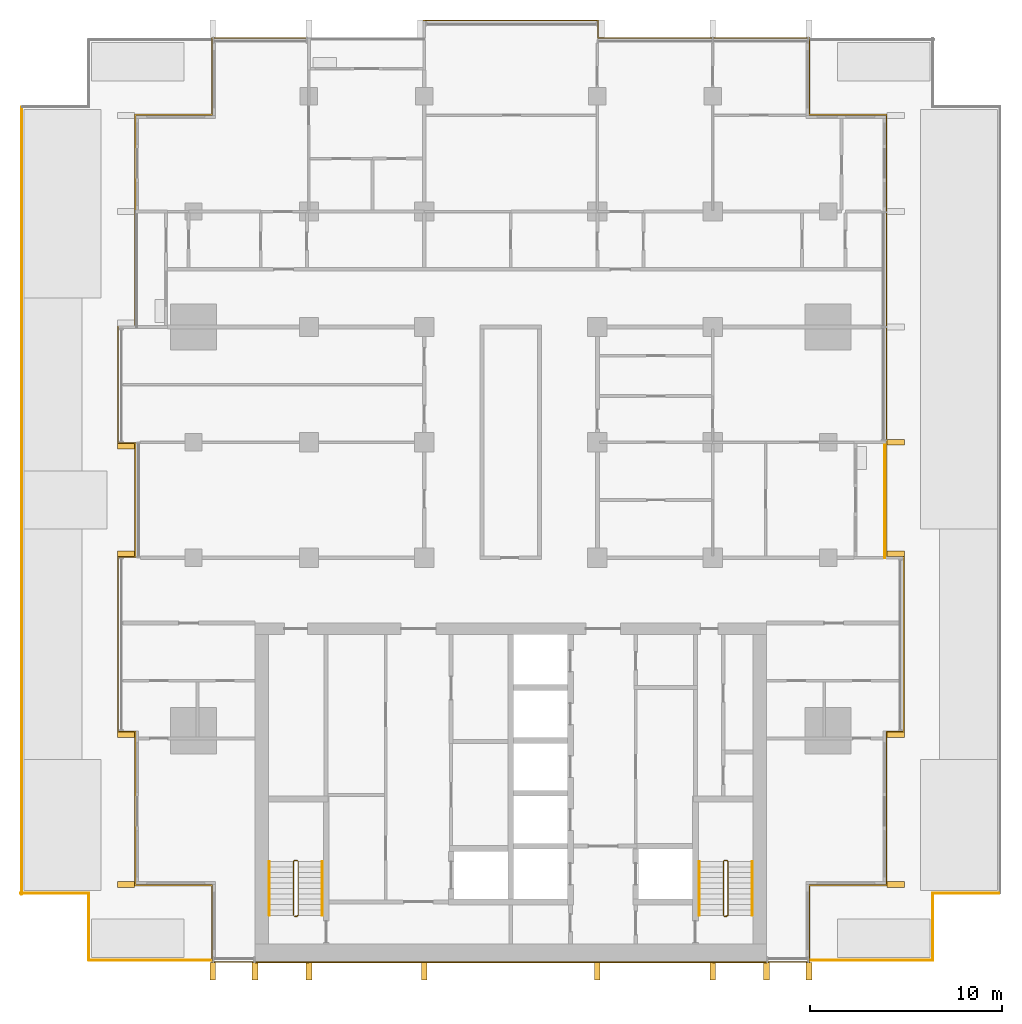
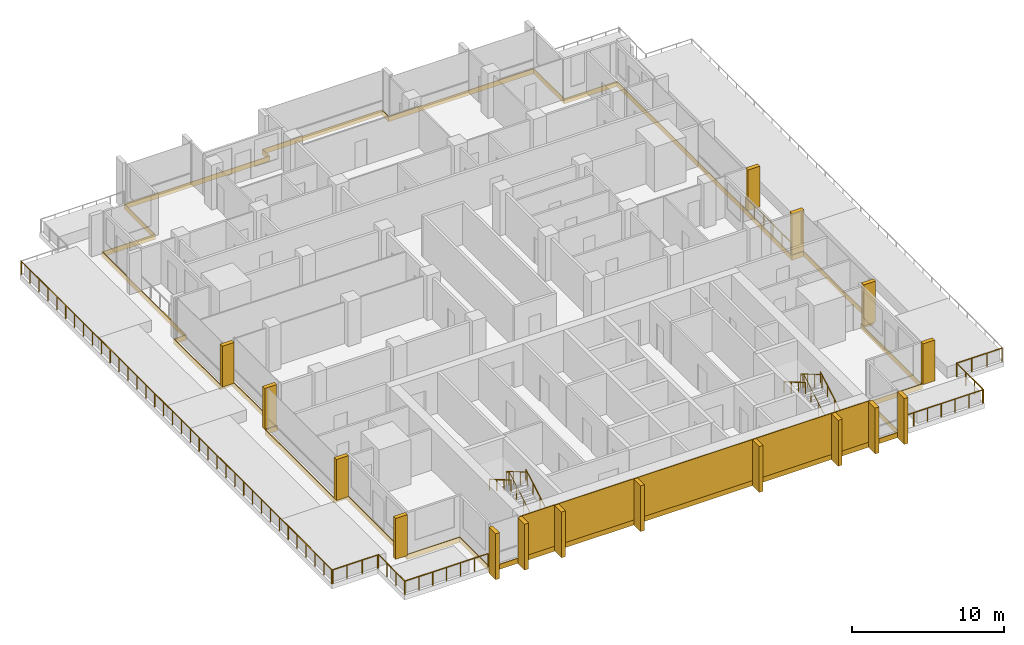
# One storey, part 17 of 18: 16 shading devices, 14 railings, 6 coverings.
"""IFC4 building model written with IfcOpenShell, lengths in metres."""

from ifc_helpers import new_model, si_unit, direction, frame, origin, origin_2d, place, context, subcontext, project, spatial, polyline, rectangle, circle, outline, extrude, material, layer, layer_set, type_object, element, save


model = new_model("IFC4")

# Units and contexts
model_context = context("Model", 3, precision=1e-05, world=origin(), true_north=direction((0.0, 1.0)))
body_context = subcontext(model_context, "Body", "Model", "MODEL_VIEW")
ifc_project = project(units=[si_unit("LENGTHUNIT", "METRE"), si_unit("AREAUNIT", "SQUARE_METRE"), si_unit("VOLUMEUNIT", "CUBIC_METRE"), si_unit("PLANEANGLEUNIT", "RADIAN"), si_unit("MASSUNIT", "GRAM", prefix="KILO")], contexts=[model_context])

# Site, building, storey
site_placement = place(None, origin())
site = spatial("IfcSite", under=ifc_project, at=site_placement, CompositionType="ELEMENT")
building_placement = place(site_placement, origin())
building = spatial("IfcBuilding", under=site, at=building_placement, Name="Finial Court Residences", CompositionType="ELEMENT")
storey_placement = place(building_placement, frame((0.0, 0.0, 149.300048828125)))
storey = spatial("IfcBuildingStorey", under=building, at=storey_placement, Name="L36", CompositionType="ELEMENT", Elevation=149.300048828125)

# Railing
ifc_material_1 = material(Name="Bronze anodised aluminium", Category="aluminium")
railing_type_1 = type_object("IfcRailingType", Name="Balcony guard 1100", PredefinedType="GUARDRAIL", material=ifc_material_1)
railing_1_placement = place(storey_placement, frame((19.449951171875, -4.5, 0.0)))
element("IfcRailing", 1, at=railing_1_placement, inside=storey, type_object=railing_type_1, Name="E-L36-BALE3-R", PredefinedType="GUARDRAIL", context=body_context, shape_type="SweptSolid", body=[
    extrude(circle(Radius=0.02392578125, at=origin_2d()), frame((0.0, 0.0, 1.076171875), z_axis=(0.0, 1.0, 0.0), x_axis=(-1.0, 0.0, 0.0)), (0.0, 0.0, 1.0), 6.0),
    extrude(circle(Radius=0.02099609375, at=origin_2d()), origin(), (0.0, 0.0, 1.0), 1.052001953125),
    extrude(circle(Radius=0.02099609375, at=origin_2d()), frame((0.0, 1.199951171875, 0.0)), (0.0, 0.0, 1.0), 1.052001953125),
    extrude(circle(Radius=0.02099609375, at=origin_2d()), frame((0.0, 2.39990234375, 0.0)), (0.0, 0.0, 1.0), 1.052001953125),
    extrude(circle(Radius=0.02099609375, at=origin_2d()), frame((0.0, 3.60009765625, 0.0)), (0.0, 0.0, 1.0), 1.052001953125),
    extrude(circle(Radius=0.02099609375, at=origin_2d()), frame((0.0, 4.800048828125, 0.0)), (0.0, 0.0, 1.0), 1.052001953125),
    extrude(circle(Radius=0.02099609375, at=origin_2d()), frame((0.0, 6.0, 0.0)), (0.0, 0.0, 1.0), 1.052001953125),
])

# Coverings
ifc_material_2 = material(Name="Natural limestone", Category="masonry")
ifc_layer_1 = layer(ifc_material_2, 0.06005859375)
ifc_layer_set_1 = layer_set([ifc_layer_1], Name="Limestone cladding to the blind core face 60")
covering_type_1 = type_object("IfcCoveringType", Name="Limestone cladding to the blind core face 60", PredefinedType="CLADDING", material=ifc_layer_set_1)
covering_1_placement = place(storey_placement, origin())
element("IfcCovering", 2, at=covering_1_placement, inside=storey, type_object=covering_type_1, Name="E-L36-CLAD1", PredefinedType="CLADDING", context=body_context, shape_type="SweptSolid", body=[
    extrude(outline(polyline([(-10.5, -25.56005859375), (-10.5, -25.5), (-13.300048828125, -25.5), (-13.300048828125, -25.56005859375), (-10.5, -25.56005859375)])), origin(), (0.0, 0.0, 1.0), 3.300048828125),
])
covering_2_placement = place(storey_placement, origin())
element("IfcCovering", 3, at=covering_2_placement, inside=storey, type_object=covering_type_1, Name="E-L36-CLAD2", PredefinedType="CLADDING", context=body_context, shape_type="SweptSolid", body=[
    extrude(outline(polyline([(-4.5, -25.56005859375), (-4.5, -25.5), (-10.5, -25.5), (-10.5, -25.56005859375), (-4.5, -25.56005859375)])), origin(), (0.0, 0.0, 1.0), 3.300048828125),
])
covering_3_placement = place(storey_placement, origin())
element("IfcCovering", 4, at=covering_3_placement, inside=storey, type_object=covering_type_1, Name="E-L36-CLAD3", PredefinedType="CLADDING", context=body_context, shape_type="SweptSolid", body=[
    extrude(outline(polyline([(4.5, -25.56005859375), (4.5, -25.5), (-4.5, -25.5), (-4.5, -25.56005859375), (4.5, -25.56005859375)])), origin(), (0.0, 0.0, 1.0), 3.300048828125),
])
covering_4_placement = place(storey_placement, origin())
element("IfcCovering", 5, at=covering_4_placement, inside=storey, type_object=covering_type_1, Name="E-L36-CLAD4", PredefinedType="CLADDING", context=body_context, shape_type="SweptSolid", body=[
    extrude(outline(polyline([(10.5, -25.56005859375), (10.5, -25.5), (4.5, -25.5), (4.5, -25.56005859375), (10.5, -25.56005859375)])), origin(), (0.0, 0.0, 1.0), 3.300048828125),
])
covering_5_placement = place(storey_placement, origin())
element("IfcCovering", 6, at=covering_5_placement, inside=storey, type_object=covering_type_1, Name="E-L36-CLAD5", PredefinedType="CLADDING", context=body_context, shape_type="SweptSolid", body=[
    extrude(outline(polyline([(13.300048828125, -25.56005859375), (13.300048828125, -25.5), (10.5, -25.5), (10.5, -25.56005859375), (13.300048828125, -25.56005859375)])), origin(), (0.0, 0.0, 1.0), 3.300048828125),
])

# Shading devices
shading_device_type = type_object("IfcShadingDeviceType", Name="Limestone fin 300 x 900", PredefinedType="USERDEFINED", material=ifc_material_2)
for number, where, z_axis, x_axis, name in (
    (7, (20.010009765625, -21.5, 0.0), (0.0, 0.0, 1.0), (1.0, 0.0, 0.0), "E-L36-FIN-E7"),
    (8, (20.010009765625, -13.7099609375, 0.0), (0.0, 0.0, 1.0), (1.0, 0.0, 0.0), "E-L36-FIN-E8"),
    (9, (20.010009765625, -4.2900390625, 0.0), (0.0, 0.0, 1.0), (1.0, 0.0, 0.0), "E-L36-FIN-E9"),
    (10, (20.010009765625, 1.5, 0.0), (0.0, 0.0, 1.0), (1.0, 0.0, 0.0), "E-L36-FIN-E10"),
):
    element("IfcShadingDevice", number, at=place(storey_placement, frame(where, z_axis=z_axis, x_axis=x_axis)), inside=storey, type_object=shading_device_type, Name=name, ObjectType="FIN", PredefinedType="USERDEFINED", context=body_context, shape_type="SweptSolid", body=[
        extrude(rectangle(XDim=0.89990234375, YDim=0.300048828125, at=origin_2d()), origin(), (0.0, 0.0, 1.0), 3.280029296875),
    ])
for number, where, z_axis, x_axis, name in (
    (11, (-15.5, -26.010009765625, -0.39990234375), (0.0, 0.0, 1.0), (1.0, 0.0, 0.0), "E-L36-FIN-S14"),
    (12, (-13.300048828125, -26.010009765625, -0.39990234375), (0.0, 0.0, 1.0), (1.0, 0.0, 0.0), "E-L36-FIN-S15"),
    (13, (-10.5, -26.010009765625, -0.39990234375), (0.0, 0.0, 1.0), (1.0, 0.0, 0.0), "E-L36-FIN-S16"),
    (14, (-4.5, -26.010009765625, -0.39990234375), (0.0, 0.0, 1.0), (1.0, 0.0, 0.0), "E-L36-FIN-S17"),
    (15, (4.5, -26.010009765625, -0.39990234375), (0.0, 0.0, 1.0), (1.0, 0.0, 0.0), "E-L36-FIN-S18"),
    (16, (10.5, -26.010009765625, -0.39990234375), (0.0, 0.0, 1.0), (1.0, 0.0, 0.0), "E-L36-FIN-S19"),
    (17, (13.300048828125, -26.010009765625, -0.39990234375), (0.0, 0.0, 1.0), (1.0, 0.0, 0.0), "E-L36-FIN-S20"),
    (18, (15.5, -26.010009765625, -0.39990234375), (0.0, 0.0, 1.0), (1.0, 0.0, 0.0), "E-L36-FIN-S21"),
):
    element("IfcShadingDevice", number, at=place(storey_placement, frame(where, z_axis=z_axis, x_axis=x_axis)), inside=storey, type_object=shading_device_type, Name=name, ObjectType="FIN", PredefinedType="USERDEFINED", context=body_context, shape_type="SweptSolid", body=[
        extrude(rectangle(XDim=0.300048828125, YDim=0.89990234375, at=origin_2d()), origin(), (0.0, 0.0, 1.0), 3.679931640625),
    ])
for number, where, z_axis, x_axis, name in (
    (19, (-20.010009765625, -21.5, 0.0), (0.0, 0.0, 1.0), (1.0, 0.0, 0.0), "E-L36-FIN-W22"),
    (20, (-20.010009765625, -13.7099609375, 0.0), (0.0, 0.0, 1.0), (1.0, 0.0, 0.0), "E-L36-FIN-W23"),
    (21, (-20.010009765625, -4.2900390625, 0.0), (0.0, 0.0, 1.0), (1.0, 0.0, 0.0), "E-L36-FIN-W24"),
    (22, (-20.010009765625, 1.2900390625, 0.0), (0.0, 0.0, 1.0), (1.0, 0.0, 0.0), "E-L36-FIN-W25"),
):
    element("IfcShadingDevice", number, at=place(storey_placement, frame(where, z_axis=z_axis, x_axis=x_axis)), inside=storey, type_object=shading_device_type, Name=name, ObjectType="FIN", PredefinedType="USERDEFINED", context=body_context, shape_type="SweptSolid", body=[
        extrude(rectangle(XDim=0.89990234375, YDim=0.300048828125, at=origin_2d()), origin(), (0.0, 0.0, 1.0), 3.280029296875),
    ])

# Covering
ifc_material_3 = material(Name="Pale limestone", Category="masonry")
ifc_layer_2 = layer(ifc_material_3, 0.06005859375)
ifc_layer_set_2 = layer_set([ifc_layer_2], Name="Pale limestone slab-edge band 60")
covering_type_2 = type_object("IfcCoveringType", Name="Pale limestone slab-edge band 60", PredefinedType="CLADDING", material=ifc_layer_set_2)
covering_6_placement = place(storey_placement, frame((0.0, 0.0, -0.400146484375)))
element("IfcCovering", 23, at=covering_6_placement, inside=storey, type_object=covering_type_2, Name="E-L36-BAND1", PredefinedType="CLADDING", context=body_context, shape_type="SweptSolid", body=[
    extrude(outline(polyline([(20.4599609375, -13.56005859375), (19.56005859375, -13.56005859375), (19.56005859375, -21.56005859375), (15.56005859375, -21.56005859375), (15.56005859375, -25.56005859375), (-15.56005859375, -25.56005859375), (-15.56005859375, -21.56005859375), (-19.56005859375, -21.56005859375), (-19.56005859375, -13.56005859375), (-20.4599609375, -13.56005859375), (-20.4599609375, -4.43994140625), (-19.56005859375, -4.43994140625), (-19.56005859375, 1.43994140625), (-20.4599609375, 1.43994140625), (-20.4599609375, 7.56005859375), (-19.56005859375, 7.56005859375), (-19.56005859375, 18.56005859375), (-15.56005859375, 18.56005859375), (-15.56005859375, 22.56005859375), (-4.56005859375, 22.56005859375), (-4.56005859375, 23.4599609375), (4.56005859375, 23.4599609375), (4.56005859375, 22.56005859375), (15.56005859375, 22.56005859375), (15.56005859375, 18.56005859375), (19.56005859375, 18.56005859375), (19.56005859375, -4.43994140625), (20.4599609375, -4.43994140625), (20.4599609375, -13.56005859375)]), holes=[polyline([(19.5, -4.5), (19.5, 1.5), (19.5, 18.5), (15.5, 18.5), (15.5, 22.5), (4.5, 22.5), (4.5, 23.39990234375), (-4.5, 23.39990234375), (-4.5, 22.5), (-10.5, 22.5), (-15.5, 22.5), (-15.5, 18.5), (-19.5, 18.5), (-19.5, 13.5), (-19.5, 7.5), (-20.39990234375, 7.5), (-20.39990234375, 1.5), (-19.5, 1.5), (-19.5, -4.5), (-20.39990234375, -4.5), (-20.39990234375, -13.5), (-19.5, -13.5), (-19.5, -21.5), (-15.5, -21.5), (-15.5, -25.5), (15.5, -25.5), (15.5, -21.5), (19.5, -21.5), (19.5, -13.5), (20.39990234375, -13.5), (20.39990234375, -4.5), (19.5, -4.5)])]), origin(), (0.0, 0.0, 1.0), 0.400146484375),
])

# Railings
ifc_material_4 = material(Name="Stainless steel railing", Category="steel")
railing_type_2 = type_object("IfcRailingType", Name="Stair guard 1100", PredefinedType="GUARDRAIL", material=ifc_material_4)
railing_2_placement = place(storey_placement, frame((-11.10009765625, -23.14990234375, 0.0)))
element("IfcRailing", 24, at=railing_2_placement, inside=storey, type_object=railing_type_2, Name="L36 ST-1 stair guard 1", PredefinedType="GUARDRAIL", context=body_context, shape_type="SweptSolid", body=[
    extrude(circle(Radius=0.02392578125, at=origin_2d()), frame((0.0, 0.0, 1.076171875), z_axis=(-1.0, 0.0, 0.0), x_axis=(0.0, -1.0, 0.0)), (0.0, 0.0, 1.0), 0.14990234375),
    extrude(circle(Radius=0.02392578125, at=origin_2d()), frame((-0.14990234375, 0.0, 1.076171875), z_axis=(0.760004195007, 0.189305074214, 0.621737253547), x_axis=(-0.241699205484, 0.970351222016, 0.0)), (0.0, 0.0, 1.0), 0.26318359375),
    extrude(circle(Radius=0.02392578125, at=origin_2d()), frame((0.050048828125, 0.0498046875, 1.23974609375), z_axis=(0.0, 0.863360870873, 0.504586966384), x_axis=(-1.0, 0.0, 0.0)), (0.0, 0.0, 1.0), 3.2431640625),
    extrude(circle(Radius=0.02392578125, at=origin_2d()), frame((0.050048828125, 2.849853515625, 2.8759765625), z_axis=(-0.707106781187, 0.707106781187, 0.0), x_axis=(-0.707106781187, -0.707106781187, 0.0)), (0.0, 0.0, 1.0), 0.07080078125),
    extrude(circle(Radius=0.02392578125, at=origin_2d()), frame((0.0, 2.89990234375, 2.8759765625), z_axis=(-1.0, 0.0, 0.0), x_axis=(0.0, -1.0, 0.0)), (0.0, 0.0, 1.0), 0.14990234375),
    extrude(circle(Radius=0.02392578125, at=origin_2d()), frame((-0.14990234375, 2.89990234375, 2.8759765625), z_axis=(-0.280808744504, -0.280808744504, 0.917765164963), x_axis=(0.707106781187, -0.707106781187, 0.0)), (0.0, 0.0, 1.0), 0.17822265625),
    extrude(circle(Radius=0.02392578125, at=origin_2d()), frame((-0.199951171875, 2.849853515625, 3.03955078125), z_axis=(0.0, -0.863393664356, 0.504530851732), x_axis=(1.0, 0.0, 0.0)), (0.0, 0.0, 1.0), 3.2431640625),
    extrude(circle(Radius=0.02099609375, at=origin_2d()), origin(), (0.0, 0.0, 1.0), 1.052001953125),
    extrude(circle(Radius=0.02099609375, at=origin_2d()), frame((-0.14990234375, 0.0, 0.0)), (0.0, 0.0, 1.0), 1.052001953125),
    extrude(circle(Radius=0.02099609375, at=origin_2d()), frame((0.050048828125, 0.0498046875, 0.16357421875)), (0.0, 0.0, 1.0), 1.052001953125),
    extrude(circle(Radius=0.02099609375, at=origin_2d()), frame((0.050048828125, 0.983154296875, 0.708984375)), (0.0, 0.0, 1.0), 1.052001953125),
    extrude(circle(Radius=0.02099609375, at=origin_2d()), frame((0.050048828125, 1.91650390625, 1.254638671875)), (0.0, 0.0, 1.0), 1.052001953125),
    extrude(circle(Radius=0.02099609375, at=origin_2d()), frame((0.050048828125, 2.849853515625, 1.800048828125)), (0.0, 0.0, 1.0), 1.052001953125),
    extrude(circle(Radius=0.02099609375, at=origin_2d()), frame((0.0, 2.89990234375, 1.800048828125)), (0.0, 0.0, 1.0), 1.052001953125),
    extrude(circle(Radius=0.02099609375, at=origin_2d()), frame((-0.14990234375, 2.89990234375, 1.800048828125)), (0.0, 0.0, 1.0), 1.052001953125),
    extrude(circle(Radius=0.02099609375, at=origin_2d()), frame((-0.199951171875, 2.849853515625, 1.963623046875)), (0.0, 0.0, 1.0), 1.052001953125),
    extrude(circle(Radius=0.02099609375, at=origin_2d()), frame((-0.199951171875, 1.91650390625, 2.509033203125)), (0.0, 0.0, 1.0), 1.052001953125),
    extrude(circle(Radius=0.02099609375, at=origin_2d()), frame((-0.199951171875, 0.983154296875, 3.054443359375)), (0.0, 0.0, 1.0), 1.052001953125),
    extrude(circle(Radius=0.02099609375, at=origin_2d()), frame((-0.199951171875, 0.0498046875, 3.599853515625)), (0.0, 0.0, 1.0), 1.052001953125),
])
railing_3_placement = place(storey_placement, frame((11.25, -23.14990234375, 0.0)))
element("IfcRailing", 25, at=railing_3_placement, inside=storey, type_object=railing_type_2, Name="L36 ST-2 stair guard 1", PredefinedType="GUARDRAIL", context=body_context, shape_type="SweptSolid", body=[
    extrude(circle(Radius=0.02392578125, at=origin_2d()), frame((0.0, 0.0, 1.076171875), z_axis=(-1.0, 0.0, 0.0), x_axis=(0.0, -1.0, 0.0)), (0.0, 0.0, 1.0), 0.14990234375),
    extrude(circle(Radius=0.02392578125, at=origin_2d()), frame((-0.14990234375, 0.0, 1.076171875), z_axis=(0.760004195007, 0.189305074214, 0.621737253547), x_axis=(-0.241699205484, 0.970351222016, 0.0)), (0.0, 0.0, 1.0), 0.26318359375),
    extrude(circle(Radius=0.02392578125, at=origin_2d()), frame((0.050048828125, 0.0498046875, 1.23974609375), z_axis=(0.0, 0.863360870873, 0.504586966384), x_axis=(-1.0, 0.0, 0.0)), (0.0, 0.0, 1.0), 3.2431640625),
    extrude(circle(Radius=0.02392578125, at=origin_2d()), frame((0.050048828125, 2.849853515625, 2.8759765625), z_axis=(-0.707106781187, 0.707106781187, 0.0), x_axis=(-0.707106781187, -0.707106781187, 0.0)), (0.0, 0.0, 1.0), 0.07080078125),
    extrude(circle(Radius=0.02392578125, at=origin_2d()), frame((0.0, 2.89990234375, 2.8759765625), z_axis=(-1.0, 0.0, 0.0), x_axis=(0.0, -1.0, 0.0)), (0.0, 0.0, 1.0), 0.14990234375),
    extrude(circle(Radius=0.02392578125, at=origin_2d()), frame((-0.14990234375, 2.89990234375, 2.8759765625), z_axis=(-0.280808744504, -0.280808744504, 0.917765164963), x_axis=(0.707106781187, -0.707106781187, 0.0)), (0.0, 0.0, 1.0), 0.17822265625),
    extrude(circle(Radius=0.02392578125, at=origin_2d()), frame((-0.199951171875, 2.849853515625, 3.03955078125), z_axis=(0.0, -0.863393664356, 0.504530851732), x_axis=(1.0, 0.0, 0.0)), (0.0, 0.0, 1.0), 3.2431640625),
    extrude(circle(Radius=0.02099609375, at=origin_2d()), origin(), (0.0, 0.0, 1.0), 1.052001953125),
    extrude(circle(Radius=0.02099609375, at=origin_2d()), frame((-0.14990234375, 0.0, 0.0)), (0.0, 0.0, 1.0), 1.052001953125),
    extrude(circle(Radius=0.02099609375, at=origin_2d()), frame((0.050048828125, 0.0498046875, 0.16357421875)), (0.0, 0.0, 1.0), 1.052001953125),
    extrude(circle(Radius=0.02099609375, at=origin_2d()), frame((0.050048828125, 0.983154296875, 0.708984375)), (0.0, 0.0, 1.0), 1.052001953125),
    extrude(circle(Radius=0.02099609375, at=origin_2d()), frame((0.050048828125, 1.91650390625, 1.254638671875)), (0.0, 0.0, 1.0), 1.052001953125),
    extrude(circle(Radius=0.02099609375, at=origin_2d()), frame((0.050048828125, 2.849853515625, 1.800048828125)), (0.0, 0.0, 1.0), 1.052001953125),
    extrude(circle(Radius=0.02099609375, at=origin_2d()), frame((0.0, 2.89990234375, 1.800048828125)), (0.0, 0.0, 1.0), 1.052001953125),
    extrude(circle(Radius=0.02099609375, at=origin_2d()), frame((-0.14990234375, 2.89990234375, 1.800048828125)), (0.0, 0.0, 1.0), 1.052001953125),
    extrude(circle(Radius=0.02099609375, at=origin_2d()), frame((-0.199951171875, 2.849853515625, 1.963623046875)), (0.0, 0.0, 1.0), 1.052001953125),
    extrude(circle(Radius=0.02099609375, at=origin_2d()), frame((-0.199951171875, 1.91650390625, 2.509033203125)), (0.0, 0.0, 1.0), 1.052001953125),
    extrude(circle(Radius=0.02099609375, at=origin_2d()), frame((-0.199951171875, 0.983154296875, 3.054443359375)), (0.0, 0.0, 1.0), 1.052001953125),
    extrude(circle(Radius=0.02099609375, at=origin_2d()), frame((-0.199951171875, 0.0498046875, 3.599853515625)), (0.0, 0.0, 1.0), 1.052001953125),
])
railing_type_3 = type_object("IfcRailingType", Name="Stair handrail 900", PredefinedType="HANDRAIL", material=ifc_material_4)
railing_4_placement = place(storey_placement, frame((-9.800048828125, -23.10009765625, 0.16357421875)))
element("IfcRailing", 26, at=railing_4_placement, inside=storey, type_object=railing_type_3, Name="L36 ST-1 stair handrail 1", PredefinedType="HANDRAIL", context=body_context, shape_type="SweptSolid", body=[
    extrude(circle(Radius=0.02392578125, at=origin_2d()), frame((0.0, 0.0, 0.8759765625), z_axis=(0.0, 0.863360870873, 0.504586966384), x_axis=(-1.0, 0.0, 0.0)), (0.0, 0.0, 1.0), 3.2431640625),
    extrude(circle(Radius=0.02099609375, at=origin_2d()), origin(), (0.0, 0.0, 1.0), 0.851806640625),
    extrude(circle(Radius=0.02099609375, at=origin_2d()), frame((0.0, 0.933349609375, 0.54541015625)), (0.0, 0.0, 1.0), 0.851806640625),
    extrude(circle(Radius=0.02099609375, at=origin_2d()), frame((0.0, 1.86669921875, 1.091064453125)), (0.0, 0.0, 1.0), 0.851806640625),
    extrude(circle(Radius=0.02099609375, at=origin_2d()), frame((0.0, 2.800048828125, 1.636474609375)), (0.0, 0.0, 1.0), 0.851806640625),
])
railing_5_placement = place(storey_placement, frame((-12.550048828125, -20.300048828125, 1.963623046875)))
element("IfcRailing", 27, at=railing_5_placement, inside=storey, type_object=railing_type_3, Name="L36 ST-1 stair handrail 2", PredefinedType="HANDRAIL", context=body_context, shape_type="SweptSolid", body=[
    extrude(circle(Radius=0.02392578125, at=origin_2d()), frame((0.0, 0.0, 0.8759765625), z_axis=(0.0, -0.863393664356, 0.504530851732), x_axis=(1.0, 0.0, 0.0)), (0.0, 0.0, 1.0), 3.2431640625),
    extrude(circle(Radius=0.02099609375, at=origin_2d()), origin(), (0.0, 0.0, 1.0), 0.851806640625),
    extrude(circle(Radius=0.02099609375, at=origin_2d()), frame((0.0, -0.933349609375, 0.54541015625)), (0.0, 0.0, 1.0), 0.851806640625),
    extrude(circle(Radius=0.02099609375, at=origin_2d()), frame((0.0, -1.86669921875, 1.0908203125)), (0.0, 0.0, 1.0), 0.851806640625),
    extrude(circle(Radius=0.02099609375, at=origin_2d()), frame((0.0, -2.800048828125, 1.63623046875)), (0.0, 0.0, 1.0), 0.851806640625),
])
railing_6_placement = place(storey_placement, frame((12.550048828125, -23.10009765625, 0.16357421875)))
element("IfcRailing", 28, at=railing_6_placement, inside=storey, type_object=railing_type_3, Name="L36 ST-2 stair handrail 1", PredefinedType="HANDRAIL", context=body_context, shape_type="SweptSolid", body=[
    extrude(circle(Radius=0.02392578125, at=origin_2d()), frame((0.0, 0.0, 0.8759765625), z_axis=(0.0, 0.863360870873, 0.504586966384), x_axis=(-1.0, 0.0, 0.0)), (0.0, 0.0, 1.0), 3.2431640625),
    extrude(circle(Radius=0.02099609375, at=origin_2d()), origin(), (0.0, 0.0, 1.0), 0.851806640625),
    extrude(circle(Radius=0.02099609375, at=origin_2d()), frame((0.0, 0.933349609375, 0.54541015625)), (0.0, 0.0, 1.0), 0.851806640625),
    extrude(circle(Radius=0.02099609375, at=origin_2d()), frame((0.0, 1.86669921875, 1.091064453125)), (0.0, 0.0, 1.0), 0.851806640625),
    extrude(circle(Radius=0.02099609375, at=origin_2d()), frame((0.0, 2.800048828125, 1.636474609375)), (0.0, 0.0, 1.0), 0.851806640625),
])
railing_7_placement = place(storey_placement, frame((9.800048828125, -20.300048828125, 1.963623046875)))
element("IfcRailing", 29, at=railing_7_placement, inside=storey, type_object=railing_type_3, Name="L36 ST-2 stair handrail 2", PredefinedType="HANDRAIL", context=body_context, shape_type="SweptSolid", body=[
    extrude(circle(Radius=0.02392578125, at=origin_2d()), frame((0.0, 0.0, 0.8759765625), z_axis=(0.0, -0.863393664356, 0.504530851732), x_axis=(1.0, 0.0, 0.0)), (0.0, 0.0, 1.0), 3.2431640625),
    extrude(circle(Radius=0.02099609375, at=origin_2d()), origin(), (0.0, 0.0, 1.0), 0.851806640625),
    extrude(circle(Radius=0.02099609375, at=origin_2d()), frame((0.0, -0.933349609375, 0.54541015625)), (0.0, 0.0, 1.0), 0.851806640625),
    extrude(circle(Radius=0.02099609375, at=origin_2d()), frame((0.0, -1.86669921875, 1.0908203125)), (0.0, 0.0, 1.0), 0.851806640625),
    extrude(circle(Radius=0.02099609375, at=origin_2d()), frame((0.0, -2.800048828125, 1.63623046875)), (0.0, 0.0, 1.0), 0.851806640625),
])
railing_type_4 = type_object("IfcRailingType", Name="Terrace guard 1100", PredefinedType="GUARDRAIL", material=ifc_material_1)
railing_8_placement = place(storey_placement, frame((25.389892578125, -21.93994140625, 0.0)))
element("IfcRailing", 30, at=railing_8_placement, inside=storey, type_object=railing_type_4, Name="E-L36-TER1-R1-4", PredefinedType="GUARDRAIL", context=body_context, shape_type="SweptSolid", body=[
    extrude(circle(Radius=0.02392578125, at=origin_2d()), frame((0.0, 0.0, 1.076171875), z_axis=(-1.0, 0.0, 0.0), x_axis=(0.0, -1.0, 0.0)), (0.0, 0.0, 1.0), 3.449951171875),
    extrude(circle(Radius=0.02099609375, at=origin_2d()), origin(), (0.0, 0.0, 1.0), 1.052001953125),
    extrude(circle(Radius=0.02099609375, at=origin_2d()), frame((-1.14990234375, 0.0, 0.0)), (0.0, 0.0, 1.0), 1.052001953125),
    extrude(circle(Radius=0.02099609375, at=origin_2d()), frame((-2.300048828125, 0.0, 0.0)), (0.0, 0.0, 1.0), 1.052001953125),
    extrude(circle(Radius=0.02099609375, at=origin_2d()), frame((-3.449951171875, 0.0, 0.0)), (0.0, 0.0, 1.0), 1.052001953125),
])
railing_9_placement = place(storey_placement, frame((21.93994140625, -21.989990234375, 0.0)))
element("IfcRailing", 31, at=railing_9_placement, inside=storey, type_object=railing_type_4, Name="E-L36-TER1-R1-5", PredefinedType="GUARDRAIL", context=body_context, shape_type="SweptSolid", body=[
    extrude(circle(Radius=0.02392578125, at=origin_2d()), frame((0.0, 0.0, 1.076171875), z_axis=(0.0, -1.0, 0.0), x_axis=(1.0, 0.0, 0.0)), (0.0, 0.0, 1.0), 3.449951171875),
    extrude(circle(Radius=0.02099609375, at=origin_2d()), origin(), (0.0, 0.0, 1.0), 1.052001953125),
    extrude(circle(Radius=0.02099609375, at=origin_2d()), frame((0.0, -1.14990234375, 0.0)), (0.0, 0.0, 1.0), 1.052001953125),
    extrude(circle(Radius=0.02099609375, at=origin_2d()), frame((0.0, -2.300048828125, 0.0)), (0.0, 0.0, 1.0), 1.052001953125),
    extrude(circle(Radius=0.02099609375, at=origin_2d()), frame((0.0, -3.449951171875, 0.0)), (0.0, 0.0, 1.0), 1.052001953125),
])
railing_10_placement = place(storey_placement, frame((21.889892578125, -25.43994140625, 0.0)))
element("IfcRailing", 32, at=railing_10_placement, inside=storey, type_object=railing_type_4, Name="E-L36-TER1-R1-6", PredefinedType="GUARDRAIL", context=body_context, shape_type="SweptSolid", body=[
    extrude(circle(Radius=0.02392578125, at=origin_2d()), frame((0.0, 0.0, 1.076171875), z_axis=(-1.0, 0.0, 0.0), x_axis=(0.0, -1.0, 0.0)), (0.0, 0.0, 1.0), 6.269775390625),
    extrude(circle(Radius=0.02099609375, at=origin_2d()), origin(), (0.0, 0.0, 1.0), 1.052001953125),
    extrude(circle(Radius=0.02099609375, at=origin_2d()), frame((-1.044921875, 0.0, 0.0)), (0.0, 0.0, 1.0), 1.052001953125),
    extrude(circle(Radius=0.02099609375, at=origin_2d()), frame((-2.08984375, 0.0, 0.0)), (0.0, 0.0, 1.0), 1.052001953125),
    extrude(circle(Radius=0.02099609375, at=origin_2d()), frame((-3.134765625, 0.0, 0.0)), (0.0, 0.0, 1.0), 1.052001953125),
    extrude(circle(Radius=0.02099609375, at=origin_2d()), frame((-4.179931640625, 0.0, 0.0)), (0.0, 0.0, 1.0), 1.052001953125),
    extrude(circle(Radius=0.02099609375, at=origin_2d()), frame((-5.224853515625, 0.0, 0.0)), (0.0, 0.0, 1.0), 1.052001953125),
    extrude(circle(Radius=0.02099609375, at=origin_2d()), frame((-6.269775390625, 0.0, 0.0)), (0.0, 0.0, 1.0), 1.052001953125),
])
railing_11_placement = place(storey_placement, frame((-25.43994140625, -22.0, 0.0)))
element("IfcRailing", 33, at=railing_11_placement, inside=storey, type_object=railing_type_4, Name="E-L36-TER2-R1-1", PredefinedType="GUARDRAIL", context=body_context, shape_type="SweptSolid", body=[
    extrude(circle(Radius=0.02392578125, at=origin_2d()), frame((0.0, 0.0, 1.076171875), z_axis=(0.0, 1.0, 0.0), x_axis=(-1.0, 0.0, 0.0)), (0.0, 0.0, 1.0), 40.93994140625),
    extrude(circle(Radius=0.02099609375, at=origin_2d()), origin(), (0.0, 0.0, 1.0), 1.052001953125),
    extrude(circle(Radius=0.02099609375, at=origin_2d()), frame((0.0, 1.169677734375, 0.0)), (0.0, 0.0, 1.0), 1.052001953125),
    extrude(circle(Radius=0.02099609375, at=origin_2d()), frame((0.0, 2.33935546875, 0.0)), (0.0, 0.0, 1.0), 1.052001953125),
    extrude(circle(Radius=0.02099609375, at=origin_2d()), frame((0.0, 3.509033203125, 0.0)), (0.0, 0.0, 1.0), 1.052001953125),
    extrude(circle(Radius=0.02099609375, at=origin_2d()), frame((0.0, 4.678955078125, 0.0)), (0.0, 0.0, 1.0), 1.052001953125),
    extrude(circle(Radius=0.02099609375, at=origin_2d()), frame((0.0, 5.8486328125, 0.0)), (0.0, 0.0, 1.0), 1.052001953125),
    extrude(circle(Radius=0.02099609375, at=origin_2d()), frame((0.0, 7.018310546875, 0.0)), (0.0, 0.0, 1.0), 1.052001953125),
    extrude(circle(Radius=0.02099609375, at=origin_2d()), frame((0.0, 8.18798828125, 0.0)), (0.0, 0.0, 1.0), 1.052001953125),
    extrude(circle(Radius=0.02099609375, at=origin_2d()), frame((0.0, 9.357666015625, 0.0)), (0.0, 0.0, 1.0), 1.052001953125),
    extrude(circle(Radius=0.02099609375, at=origin_2d()), frame((0.0, 10.52734375, 0.0)), (0.0, 0.0, 1.0), 1.052001953125),
    extrude(circle(Radius=0.02099609375, at=origin_2d()), frame((0.0, 11.697021484375, 0.0)), (0.0, 0.0, 1.0), 1.052001953125),
    extrude(circle(Radius=0.02099609375, at=origin_2d()), frame((0.0, 12.866943359375, 0.0)), (0.0, 0.0, 1.0), 1.052001953125),
    extrude(circle(Radius=0.02099609375, at=origin_2d()), frame((0.0, 14.03662109375, 0.0)), (0.0, 0.0, 1.0), 1.052001953125),
    extrude(circle(Radius=0.02099609375, at=origin_2d()), frame((0.0, 15.206298828125, 0.0)), (0.0, 0.0, 1.0), 1.052001953125),
    extrude(circle(Radius=0.02099609375, at=origin_2d()), frame((0.0, 16.3759765625, 0.0)), (0.0, 0.0, 1.0), 1.052001953125),
    extrude(circle(Radius=0.02099609375, at=origin_2d()), frame((0.0, 17.545654296875, 0.0)), (0.0, 0.0, 1.0), 1.052001953125),
    extrude(circle(Radius=0.02099609375, at=origin_2d()), frame((0.0, 18.71533203125, 0.0)), (0.0, 0.0, 1.0), 1.052001953125),
    extrude(circle(Radius=0.02099609375, at=origin_2d()), frame((0.0, 19.885009765625, 0.0)), (0.0, 0.0, 1.0), 1.052001953125),
    extrude(circle(Radius=0.02099609375, at=origin_2d()), frame((0.0, 21.054931640625, 0.0)), (0.0, 0.0, 1.0), 1.052001953125),
    extrude(circle(Radius=0.02099609375, at=origin_2d()), frame((0.0, 22.224609375, 0.0)), (0.0, 0.0, 1.0), 1.052001953125),
    extrude(circle(Radius=0.02099609375, at=origin_2d()), frame((0.0, 23.394287109375, 0.0)), (0.0, 0.0, 1.0), 1.052001953125),
    extrude(circle(Radius=0.02099609375, at=origin_2d()), frame((0.0, 24.56396484375, 0.0)), (0.0, 0.0, 1.0), 1.052001953125),
    extrude(circle(Radius=0.02099609375, at=origin_2d()), frame((0.0, 25.733642578125, 0.0)), (0.0, 0.0, 1.0), 1.052001953125),
    extrude(circle(Radius=0.02099609375, at=origin_2d()), frame((0.0, 26.9033203125, 0.0)), (0.0, 0.0, 1.0), 1.052001953125),
    extrude(circle(Radius=0.02099609375, at=origin_2d()), frame((0.0, 28.072998046875, 0.0)), (0.0, 0.0, 1.0), 1.052001953125),
    extrude(circle(Radius=0.02099609375, at=origin_2d()), frame((0.0, 29.242919921875, 0.0)), (0.0, 0.0, 1.0), 1.052001953125),
    extrude(circle(Radius=0.02099609375, at=origin_2d()), frame((0.0, 30.41259765625, 0.0)), (0.0, 0.0, 1.0), 1.052001953125),
    extrude(circle(Radius=0.02099609375, at=origin_2d()), frame((0.0, 31.582275390625, 0.0)), (0.0, 0.0, 1.0), 1.052001953125),
    extrude(circle(Radius=0.02099609375, at=origin_2d()), frame((0.0, 32.751953125, 0.0)), (0.0, 0.0, 1.0), 1.052001953125),
    extrude(circle(Radius=0.02099609375, at=origin_2d()), frame((0.0, 33.921630859375, 0.0)), (0.0, 0.0, 1.0), 1.052001953125),
    extrude(circle(Radius=0.02099609375, at=origin_2d()), frame((0.0, 35.09130859375, 0.0)), (0.0, 0.0, 1.0), 1.052001953125),
    extrude(circle(Radius=0.02099609375, at=origin_2d()), frame((0.0, 36.260986328125, 0.0)), (0.0, 0.0, 1.0), 1.052001953125),
    extrude(circle(Radius=0.02099609375, at=origin_2d()), frame((0.0, 37.430908203125, 0.0)), (0.0, 0.0, 1.0), 1.052001953125),
    extrude(circle(Radius=0.02099609375, at=origin_2d()), frame((0.0, 38.6005859375, 0.0)), (0.0, 0.0, 1.0), 1.052001953125),
    extrude(circle(Radius=0.02099609375, at=origin_2d()), frame((0.0, 39.770263671875, 0.0)), (0.0, 0.0, 1.0), 1.052001953125),
    extrude(circle(Radius=0.02099609375, at=origin_2d()), frame((0.0, 40.93994140625, 0.0)), (0.0, 0.0, 1.0), 1.052001953125),
])
railing_12_placement = place(storey_placement, frame((-15.6201171875, -25.43994140625, 0.0)))
element("IfcRailing", 34, at=railing_12_placement, inside=storey, type_object=railing_type_4, Name="E-L36-TER2-R2-1", PredefinedType="GUARDRAIL", context=body_context, shape_type="SweptSolid", body=[
    extrude(circle(Radius=0.02392578125, at=origin_2d()), frame((0.0, 0.0, 1.076171875), z_axis=(-1.0, 0.0, 0.0), x_axis=(0.0, -1.0, 0.0)), (0.0, 0.0, 1.0), 6.31982421875),
    extrude(circle(Radius=0.02099609375, at=origin_2d()), origin(), (0.0, 0.0, 1.0), 1.052001953125),
    extrude(circle(Radius=0.02099609375, at=origin_2d()), frame((-1.05322265625, 0.0, 0.0)), (0.0, 0.0, 1.0), 1.052001953125),
    extrude(circle(Radius=0.02099609375, at=origin_2d()), frame((-2.106689453125, 0.0, 0.0)), (0.0, 0.0, 1.0), 1.052001953125),
    extrude(circle(Radius=0.02099609375, at=origin_2d()), frame((-3.159912109375, 0.0, 0.0)), (0.0, 0.0, 1.0), 1.052001953125),
    extrude(circle(Radius=0.02099609375, at=origin_2d()), frame((-4.213134765625, 0.0, 0.0)), (0.0, 0.0, 1.0), 1.052001953125),
    extrude(circle(Radius=0.02099609375, at=origin_2d()), frame((-5.2666015625, 0.0, 0.0)), (0.0, 0.0, 1.0), 1.052001953125),
    extrude(circle(Radius=0.02099609375, at=origin_2d()), frame((-6.31982421875, 0.0, 0.0)), (0.0, 0.0, 1.0), 1.052001953125),
])
railing_13_placement = place(storey_placement, frame((-21.93994140625, -25.389892578125, 0.0)))
element("IfcRailing", 35, at=railing_13_placement, inside=storey, type_object=railing_type_4, Name="E-L36-TER2-R2-2", PredefinedType="GUARDRAIL", context=body_context, shape_type="SweptSolid", body=[
    extrude(circle(Radius=0.02392578125, at=origin_2d()), frame((0.0, 0.0, 1.076171875), z_axis=(0.0, 1.0, 0.0), x_axis=(-1.0, 0.0, 0.0)), (0.0, 0.0, 1.0), 3.449951171875),
    extrude(circle(Radius=0.02099609375, at=origin_2d()), origin(), (0.0, 0.0, 1.0), 1.052001953125),
    extrude(circle(Radius=0.02099609375, at=origin_2d()), frame((0.0, 1.14990234375, 0.0)), (0.0, 0.0, 1.0), 1.052001953125),
    extrude(circle(Radius=0.02099609375, at=origin_2d()), frame((0.0, 2.300048828125, 0.0)), (0.0, 0.0, 1.0), 1.052001953125),
    extrude(circle(Radius=0.02099609375, at=origin_2d()), frame((0.0, 3.449951171875, 0.0)), (0.0, 0.0, 1.0), 1.052001953125),
])
railing_14_placement = place(storey_placement, frame((-21.989990234375, -21.93994140625, 0.0)))
element("IfcRailing", 36, at=railing_14_placement, inside=storey, type_object=railing_type_4, Name="E-L36-TER2-R2-3", PredefinedType="GUARDRAIL", context=body_context, shape_type="SweptSolid", body=[
    extrude(circle(Radius=0.02392578125, at=origin_2d()), frame((0.0, 0.0, 1.076171875), z_axis=(-1.0, 0.0, 0.0), x_axis=(0.0, -1.0, 0.0)), (0.0, 0.0, 1.0), 3.510009765625),
    extrude(circle(Radius=0.02099609375, at=origin_2d()), origin(), (0.0, 0.0, 1.0), 1.052001953125),
    extrude(circle(Radius=0.02099609375, at=origin_2d()), frame((-1.169921875, 0.0, 0.0)), (0.0, 0.0, 1.0), 1.052001953125),
    extrude(circle(Radius=0.02099609375, at=origin_2d()), frame((-2.340087890625, 0.0, 0.0)), (0.0, 0.0, 1.0), 1.052001953125),
    extrude(circle(Radius=0.02099609375, at=origin_2d()), frame((-3.510009765625, 0.0, 0.0)), (0.0, 0.0, 1.0), 1.052001953125),
])

save(model, "model.ifc")
